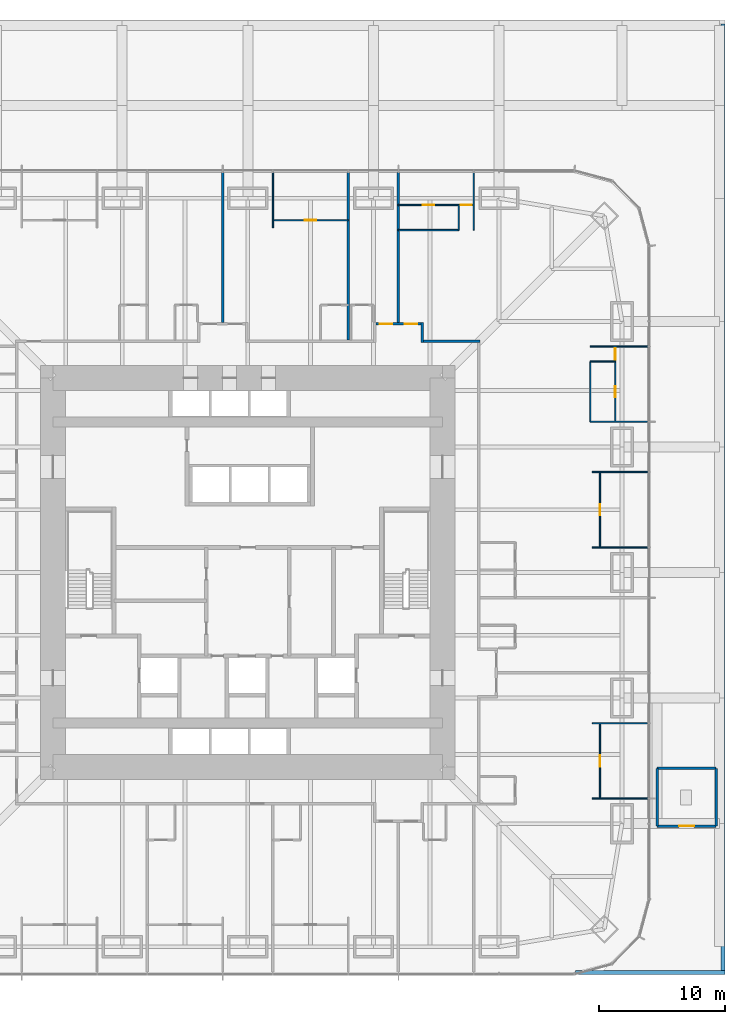
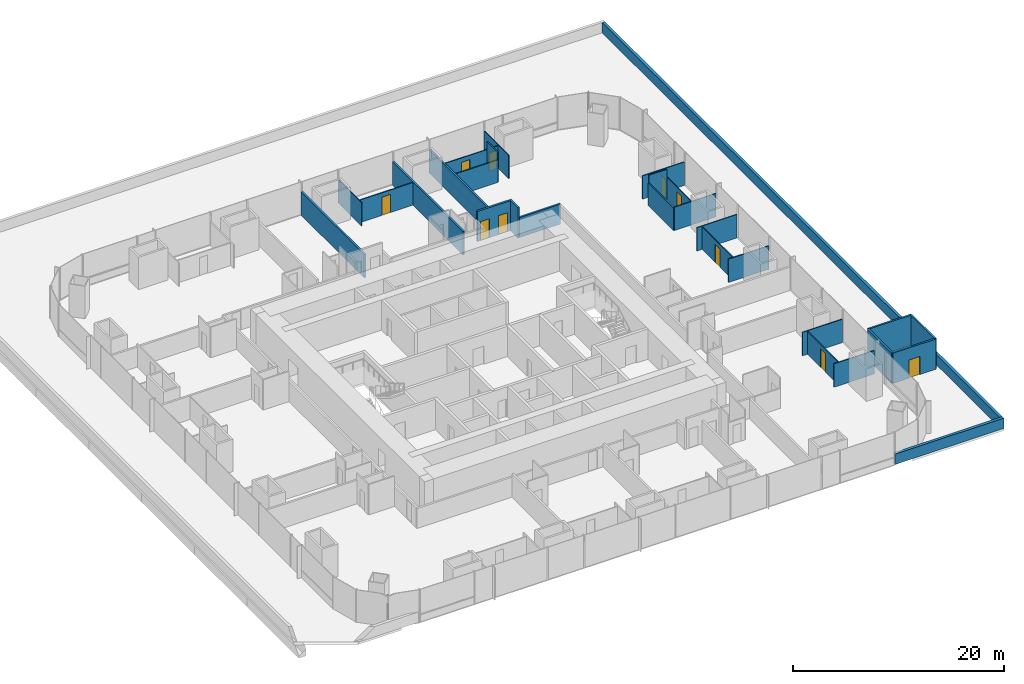
# One storey, part 18 of 20: 29 walls, 10 doors, 10 openings.
"""IFC4 building model written with IfcOpenShell, lengths in metres."""

import ifcopenshell
import ifcopenshell.guid

model = None  # the IFC model being written
_history = None  # IfcOwnerHistory: only IFC2X3 demands one
_inside = {}  # id of a spatial element -> (the spatial element, [elements in it])
_under = {}  # id of a project, library or spatial element -> (it, [spatial elements below it])
_declared = {}  # id of a project -> (the project, [libraries it declares])
_typed = {}  # id of a type object -> (the type object, [elements of that type])
_made_of = {}  # id of a material, layer set ... -> (it, [elements and type objects made of it])


def new_model(schema):
    """Start an empty IFC model of exactly this schema.

    Asked for "IFC4X3", IfcOpenShell would pick the latest addendum, in which some entities
    have other attributes; the version numbers below select the first issue.
    IFC2X3 requires an IfcOwnerHistory on every rooted entity: one is made here for all.
    """
    global model, _history
    if schema == "IFC4X3":
        model = ifcopenshell.file(schema_version=(4, 3, 0, 0))
    else:
        model = ifcopenshell.file(schema=schema)
    _inside.clear()
    _under.clear()
    _declared.clear()
    _typed.clear()
    _made_of.clear()
    _history = None
    if model.schema == "IFC2X3":
        org = make("IfcOrganization", Name="unknown")
        user = make(
            "IfcPersonAndOrganization",
            ThePerson=make("IfcPerson", FamilyName="unknown"),
            TheOrganization=org,
        )
        app = make(
            "IfcApplication",
            ApplicationDeveloper=org,
            Version="unknown",
            ApplicationFullName="unknown",
            ApplicationIdentifier="unknown",
        )
        _history = make(
            "IfcOwnerHistory",
            OwningUser=user,
            OwningApplication=app,
            ChangeAction="ADDED",
            CreationDate=0,
        )
    return model


def make(cls, **values):
    """One entity of the class cls with the attributes given. An attribute that is None is left unset."""
    return model.create_entity(
        cls, **{name: value for name, value in values.items() if value is not None}
    )


def rooted(cls, **values):
    """An entity with a GlobalId (a new one), such as an element, a storey or a relation."""
    return make(cls, GlobalId=ifcopenshell.guid.new(), OwnerHistory=_history, **values)


def si_unit(unit_type, name, prefix=None):
    """IfcSIUnit, for example si_unit("LENGTHUNIT", "METRE", prefix="MILLI")."""
    return make("IfcSIUnit", UnitType=unit_type, Prefix=prefix, Name=name)


def assignment(units):
    """IfcUnitAssignment: the units of a project."""
    return None if units is None else make("IfcUnitAssignment", Units=units)


def point(xyz):
    """IfcCartesianPoint."""
    return None if xyz is None else make("IfcCartesianPoint", Coordinates=xyz)


def direction(xyz):
    """IfcDirection."""
    return None if xyz is None else make("IfcDirection", DirectionRatios=xyz)


def frame(location, z_axis=None, x_axis=None):
    """IfcAxis2Placement3D, a coordinate frame: its origin and axes. An axis left out is left unset."""
    return make(
        "IfcAxis2Placement3D",
        Location=point(location),
        Axis=direction(z_axis),
        RefDirection=direction(x_axis),
    )


def frame_2d(location, x_axis=None):
    """IfcAxis2Placement2D, a coordinate frame in the plane: its origin and x axis."""
    return make(
        "IfcAxis2Placement2D", Location=point(location), RefDirection=direction(x_axis)
    )


def origin():
    """The frame at (0, 0, 0) with its axes left unset."""
    return frame((0.0, 0.0, 0.0))


def place(relative_to, where):
    """IfcLocalPlacement: puts the frame where relative to a parent placement (None: the world)."""
    return make(
        "IfcLocalPlacement", PlacementRelTo=relative_to, RelativePlacement=where
    )


def context(
    kind, dimensions, precision=None, world=None, true_north=None, identifier=None
):
    """IfcGeometricRepresentationContext, for example the 3D "Model" context."""
    return make(
        "IfcGeometricRepresentationContext",
        ContextIdentifier=identifier,
        ContextType=kind,
        CoordinateSpaceDimension=dimensions,
        Precision=precision,
        WorldCoordinateSystem=world,
        TrueNorth=true_north,
    )


def subcontext(parent, identifier, kind, view, scale=None):
    """IfcGeometricRepresentationSubContext, for example "Body" below "Model"."""
    return make(
        "IfcGeometricRepresentationSubContext",
        ContextIdentifier=identifier,
        ContextType=kind,
        ParentContext=parent,
        TargetScale=scale,
        TargetView=view,
    )


def project(units=None, contexts=None):
    """IfcProject with its units and contexts."""
    return rooted(
        "IfcProject",
        Name="project",
        RepresentationContexts=contexts,
        UnitsInContext=assignment(units),
    )


def spatial(cls, under=None, at=None, **own):
    """A site, building, storey or space (cls), placed at a placement, below another one or the project."""
    s = rooted(cls, ObjectPlacement=at, **own)
    if under is not None:
        _under.setdefault(under.id(), (under, []))[1].append(s)
    return s


def profile(cls, at=None, kind="AREA", **sizes):
    """A parametric profile (cls). Its sizes go by their IFC names, for example OverallWidth=200.0."""
    return make(cls, ProfileType=kind, Position=at, **sizes)


def rectangle(**sizes):
    """IfcRectangleProfileDef."""
    return profile("IfcRectangleProfileDef", **sizes)


def extrude(swept, where, along, depth):
    """IfcExtrudedAreaSolid: the profile swept, set in the frame where, extruded along a direction by depth."""
    return make(
        "IfcExtrudedAreaSolid",
        SweptArea=swept,
        Position=where,
        ExtrudedDirection=direction(along),
        Depth=depth,
    )


def shape(context_of_items, identifier, shape_type, items):
    """IfcShapeRepresentation: the items that make up one representation, for example the "Body"."""
    return make(
        "IfcShapeRepresentation",
        ContextOfItems=context_of_items,
        RepresentationIdentifier=identifier,
        RepresentationType=shape_type,
        Items=items,
    )


def material(Name=None, Category=None):
    """IfcMaterial."""
    return make("IfcMaterial", Name=Name, Category=Category)


def layer(
    of_material, thickness, ventilated=None, Name=None, Category=None, Priority=None
):
    """IfcMaterialLayer: one layer of a wall or slab, of a material (None: an air gap)."""
    return make(
        "IfcMaterialLayer",
        Material=of_material,
        LayerThickness=thickness,
        IsVentilated=ventilated,
        Name=Name,
        Category=Category,
        Priority=Priority,
    )


def layer_set(layers, Name=None):
    """IfcMaterialLayerSet."""
    return make("IfcMaterialLayerSet", MaterialLayers=layers, LayerSetName=Name)


def made_of(thing, what):
    """Note that an element or type object is made of a material, layer set ...; save() writes the relation."""
    if what is not None:
        _made_of.setdefault(what.id(), (what, []))[1].append(thing)
    return thing


def type_object(cls, material=None, **own):
    """A type object (cls), such as IfcWallType, which elements share."""
    return made_of(rooted(cls, **own), material)


def element(
    cls,
    number,
    at=None,
    inside=None,
    cuts=None,
    type_object=None,
    material=None,
    context=None,
    identifier="Body",
    shape_type=None,
    held_by="IfcProductDefinitionShape",
    body=None,
    shapes=None,
    **own,
):
    """One element of the class cls, such as IfcWall. Its Tag is "e" and its number.

    at: its placement. inside: the storey or other place that contains it. cuts: it is an
    opening in that element (IfcRelVoidsElement). A single representation is given by context,
    identifier, shape_type and body (its items); several are given by shapes. held_by: the class
    of the entity that holds the representations. save() writes the other relations.
    """
    e = rooted(cls, Tag="e%d" % number, ObjectPlacement=at, **own)
    if body is not None:
        shapes = [shape(context, identifier, shape_type, body)]
    if shapes is not None:
        e.Representation = make(held_by, Representations=shapes)
    if inside is not None:
        _inside.setdefault(inside.id(), (inside, []))[1].append(e)
    if cuts is not None:
        rooted(
            "IfcRelVoidsElement", RelatingBuildingElement=cuts, RelatedOpeningElement=e
        )
    if type_object is not None:
        _typed.setdefault(type_object.id(), (type_object, []))[1].append(e)
    return made_of(e, material)


def fill(opening, filler):
    """IfcRelFillsElement: the door or window that sits in an opening."""
    return rooted(
        "IfcRelFillsElement",
        RelatingOpeningElement=opening,
        RelatedBuildingElement=filler,
    )


def aggregate(whole, parts):
    """IfcRelAggregates: a whole, such as a stair, and the parts it consists of."""
    return rooted("IfcRelAggregates", RelatingObject=whole, RelatedObjects=parts)


def save(model, path):
    """Write the relations noted so far, then the file.

    IfcRelAggregates (storeys below a building ...), IfcRelContainedInSpatialStructure (elements
    in a storey), IfcRelDefinesByType, IfcRelAssociatesMaterial and IfcRelDeclares: one each for
    every whole, place, type object, material and project.
    """
    for whole, parts in _under.values():
        aggregate(whole, parts)
    for where, things in _inside.values():
        rooted(
            "IfcRelContainedInSpatialStructure",
            RelatedElements=things,
            RelatingStructure=where,
        )
    for kind, things in _typed.values():
        rooted("IfcRelDefinesByType", RelatedObjects=things, RelatingType=kind)
    for what, things in _made_of.values():
        rooted("IfcRelAssociatesMaterial", RelatedObjects=things, RelatingMaterial=what)
    for by, libraries in _declared.values():
        rooted("IfcRelDeclares", RelatingContext=by, RelatedDefinitions=libraries)
    model.write(path)


model = new_model("IFC4")

# Units and contexts
model_context = context("Model", 3, precision=1e-05, world=origin(), true_north=direction((0.0, 1.0)))
body_context = subcontext(model_context, "Body", "Model", "MODEL_VIEW")
ifc_project = project(units=[si_unit("LENGTHUNIT", "METRE"), si_unit("AREAUNIT", "SQUARE_METRE"), si_unit("VOLUMEUNIT", "CUBIC_METRE"), si_unit("PLANEANGLEUNIT", "RADIAN"), si_unit("MASSUNIT", "GRAM", prefix="KILO")], contexts=[model_context])

# Site, building, storey
site_placement = place(None, origin())
site = spatial("IfcSite", under=ifc_project, at=site_placement, CompositionType="ELEMENT")
building_placement = place(site_placement, origin())
building = spatial("IfcBuilding", under=site, at=building_placement, Name="Khuree Lantern Residences", CompositionType="ELEMENT")
storey_placement = place(building_placement, frame((0.0, 0.0, 21.0)))
storey = spatial("IfcBuildingStorey", under=building, at=storey_placement, Name="L04", CompositionType="ELEMENT", Elevation=21.0)

# Wall
ifc_material_1 = material(Name="Gypsum board on steel studs", Category="steel")
ifc_layer_1 = layer(ifc_material_1, 0.199951171875)
ifc_layer_set_1 = layer_set([ifc_layer_1], Name="CORRIDOR WALL CRW200 EI 60")
wall_type_1 = type_object("IfcWallType", Name="CORRIDOR WALL CRW200 EI 60", PredefinedType="PARTITIONING", material=ifc_layer_set_1)
wall_1_placement = place(storey_placement, frame((13.89990234375, 18.300048828125, 0.0), z_axis=(0.0, 0.0, 1.0), x_axis=(0.0, 1.0, 0.0)))
element("IfcWall", 1, at=wall_1_placement, inside=storey, type_object=wall_type_1, Name="L04 CORRIDOR ALCOVE WALL NORTH", PredefinedType="PARTITIONING", context=body_context, shape_type="SweptSolid", body=[
    extrude(rectangle(XDim=1.599853515625, YDim=0.199951171875, at=frame_2d((0.7998046875, 0.0))), origin(), (0.0, 0.0, 1.0), 3.5),
])

# Wall, openings, doors
wall_2_placement = place(storey_placement, frame((10.199951171875, 19.800048828125, 0.0), z_axis=(0.0, 0.0, 1.0), x_axis=(1.0, 0.0, 0.0)))
wall_2 = element("IfcWall", 2, at=wall_2_placement, inside=storey, type_object=wall_type_1, Name="L04 CORRIDOR ALCOVE WALL NORTH", PredefinedType="PARTITIONING", context=body_context, shape_type="SweptSolid", body=[
    extrude(rectangle(XDim=3.60009765625, YDim=0.199951171875, at=frame_2d((1.800048828125, 0.0))), origin(), (0.0, 0.0, 1.0), 3.5),
])
opening_1_placement = place(wall_2_placement, frame((2.300048828125, 0.0, 0.0)))
opening_1 = element("IfcOpeningElement", 3, at=opening_1_placement, cuts=wall_2, Name="Opening 04-030", PredefinedType="OPENING", context=body_context, shape_type="SweptSolid", body=[
    extrude(rectangle(XDim=1.0, YDim=2.199951171875, at=frame_2d((0.5, 1.10009765625))), frame((0.0, 0.10986328125, 0.0), z_axis=(0.0, -1.0, 0.0), x_axis=(1.0, 0.0, 0.0)), (0.0, 0.0, 1.0), 0.219970703125),
])
opening_2_placement = place(wall_2_placement, frame((0.300048828125, 0.0, 0.0)))
opening_2 = element("IfcOpeningElement", 4, at=opening_2_placement, cuts=wall_2, Name="Opening 04-032", PredefinedType="OPENING", context=body_context, shape_type="SweptSolid", body=[
    extrude(rectangle(XDim=1.0, YDim=2.199951171875, at=frame_2d((0.5, 1.10009765625))), frame((0.0, 0.10986328125, 0.0), z_axis=(0.0, -1.0, 0.0), x_axis=(1.0, 0.0, 0.0)), (0.0, 0.0, 1.0), 0.219970703125),
])
ifc_material_2 = material(Name="Timber door leaf in hardwood frame", Category="wood")
door_type_1 = type_object("IfcDoorType", Name="APARTMENT ENTRANCE DOOR 1000X2200 EI 30S", OperationType="SINGLE_SWING_LEFT", PredefinedType="DOOR", material=ifc_material_2)
door_1_placement = place(opening_1_placement, origin())
door_1 = element("IfcDoor", 5, at=door_1_placement, inside=storey, type_object=door_type_1, Name="Apartment 02 entrance door 04-030", OperationType="SINGLE_SWING_LEFT", OverallHeight=2.199951171875, OverallWidth=1.0, PredefinedType="DOOR", context=body_context, shape_type="SweptSolid", body=[
    extrude(rectangle(XDim=1.0, YDim=2.199951171875, at=frame_2d((0.5, 1.10009765625))), frame((0.0, 0.02490234375, 0.0), z_axis=(0.0, -1.0, 0.0), x_axis=(1.0, 0.0, 0.0)), (0.0, 0.0, 1.0), 0.050048828125),
])
fill(opening_1, door_1)
door_2_placement = place(opening_2_placement, origin())
door_2 = element("IfcDoor", 6, at=door_2_placement, inside=storey, type_object=door_type_1, Name="Apartment 03 entrance door 04-032", OperationType="SINGLE_SWING_LEFT", OverallHeight=2.199951171875, OverallWidth=1.0, PredefinedType="DOOR", context=body_context, shape_type="SweptSolid", body=[
    extrude(rectangle(XDim=1.0, YDim=2.199951171875, at=frame_2d((0.5, 1.10009765625))), frame((0.0, 0.02490234375, 0.0), z_axis=(0.0, -1.0, 0.0), x_axis=(1.0, 0.0, 0.0)), (0.0, 0.0, 1.0), 0.050048828125),
])
fill(opening_2, door_2)

# Walls
wall_3_placement = place(storey_placement, frame((14.0, 18.39990234375, 0.0), z_axis=(0.0, 0.0, 1.0), x_axis=(1.0, 0.0, 0.0)))
element("IfcWall", 7, at=wall_3_placement, inside=storey, type_object=wall_type_1, Name="L04 CORRIDOR WALL NORTH 3", PredefinedType="PARTITIONING", context=body_context, shape_type="SweptSolid", body=[
    extrude(rectangle(XDim=4.5, YDim=0.199951171875, at=frame_2d((2.25, 0.0))), origin(), (0.0, 0.0, 1.0), 2.300048828125),
])
ifc_layer_2 = layer(ifc_material_1, 0.199951171875)
ifc_layer_set_2 = layer_set([ifc_layer_2], Name="DEMISING WALL DMW200 EI 90")
wall_type_2 = type_object("IfcWallType", Name="DEMISING WALL DMW200 EI 90", PredefinedType="PARTITIONING", material=ifc_layer_set_2)
wall_4_placement = place(storey_placement, frame((12.0, 19.89990234375, 0.0), z_axis=(0.0, 0.0, 1.0), x_axis=(0.0, 1.0, 0.0)))
element("IfcWall", 8, at=wall_4_placement, inside=storey, type_object=wall_type_2, Name="L04 DEMISING WALL 03", PredefinedType="PARTITIONING", context=body_context, shape_type="SweptSolid", body=[
    extrude(rectangle(XDim=11.9501953125, YDim=0.199951171875, at=frame_2d((5.97509765625, 0.0))), origin(), (0.0, 0.0, 1.0), 2.7099609375),
])
wall_5_placement = place(storey_placement, frame((8.0, 18.5, 0.0), z_axis=(0.0, 0.0, 1.0), x_axis=(0.0, 1.0, 0.0)))
element("IfcWall", 9, at=wall_5_placement, inside=storey, type_object=wall_type_2, Name="L04 DEMISING WALL 04", PredefinedType="PARTITIONING", context=body_context, shape_type="SweptSolid", body=[
    extrude(rectangle(XDim=13.35009765625, YDim=0.199951171875, at=frame_2d((6.675048828125, 0.0))), origin(), (0.0, 0.0, 1.0), 2.7099609375),
])
wall_6_placement = place(storey_placement, frame((-2.0, 19.89990234375, 0.0), z_axis=(0.0, 0.0, 1.0), x_axis=(0.0, 1.0, 0.0)))
element("IfcWall", 10, at=wall_6_placement, inside=storey, type_object=wall_type_2, Name="L04 DEMISING WALL 05", PredefinedType="PARTITIONING", context=body_context, shape_type="SweptSolid", body=[
    extrude(rectangle(XDim=11.9501953125, YDim=0.199951171875, at=frame_2d((5.97509765625, 0.0))), origin(), (0.0, 0.0, 1.0), 2.7099609375),
])
ifc_material_3 = material(Name="Dense concrete blockwork", Category="masonry")
ifc_layer_3 = layer(ifc_material_3, 0.199951171875)
ifc_layer_set_3 = layer_set([ifc_layer_3], Name="FIRE-RATED ROOM WALL FRW200 EI 120")
wall_type_3 = type_object("IfcWallType", Name="FIRE-RATED ROOM WALL FRW200 EI 120", PredefinedType="SOLIDWALL", material=ifc_layer_set_3)
wall_7_placement = place(storey_placement, frame((37.300048828125, -15.60009765625, 0.0), z_axis=(0.0, 0.0, 1.0), x_axis=(-1.0, 0.0, 0.0)))
element("IfcWall", 11, at=wall_7_placement, inside=storey, type_object=wall_type_3, Name="L04 ROOF PLANT ROOM WALL N", PredefinedType="SOLIDWALL", context=body_context, shape_type="SweptSolid", body=[
    extrude(rectangle(XDim=4.699951171875, YDim=0.199951171875, at=frame_2d((2.35009765625, 0.0))), origin(), (0.0, 0.0, 1.0), 3.5),
])
ifc_material_4 = material(Name="Concrete C40/50", Category="concrete")
ifc_layer_4 = layer(ifc_material_4, 0.199951171875)
ifc_layer_set_4 = layer_set([ifc_layer_4], Name="LBW200 PLANT ROOM LOAD-BEARING WALL")
wall_type_4 = type_object("IfcWallType", Name="LBW200 PLANT ROOM LOAD-BEARING WALL", PredefinedType="SOLIDWALL", material=ifc_layer_set_4)
for number, where, z_axis, x_axis, name in (
    (12, (37.300048828125, -20.199951171875, 0.0), (0.0, 0.0, 1.0), (0.0, 1.0, 0.0), "L04 ROOF PLANT ROOM WALL E"),
    (13, (32.60009765625, -15.60009765625, 0.0), (0.0, 0.0, 1.0), (0.0, -1.0, 0.0), "L04 ROOF PLANT ROOM WALL W"),
):
    element("IfcWall", number, at=place(storey_placement, frame(where, z_axis=z_axis, x_axis=x_axis)), inside=storey, type_object=wall_type_4, Name=name, PredefinedType="SOLIDWALL", context=body_context, shape_type="SweptSolid", body=[
        extrude(rectangle(XDim=4.599853515625, YDim=0.199951171875, at=frame_2d((2.2998046875, 0.0))), origin(), (0.0, 0.0, 1.0), 3.5),
    ])

# Wall, opening, door
wall_8_placement = place(storey_placement, frame((32.60009765625, -20.199951171875, 0.0), z_axis=(0.0, 0.0, 1.0), x_axis=(1.0, 0.0, 0.0)))
wall_8 = element("IfcWall", 14, at=wall_8_placement, inside=storey, type_object=wall_type_4, Name="L04 ROOF PLANT ROOM WALL S", PredefinedType="SOLIDWALL", context=body_context, shape_type="SweptSolid", body=[
    extrude(rectangle(XDim=4.699951171875, YDim=0.199951171875, at=frame_2d((2.35009765625, 0.0))), origin(), (0.0, 0.0, 1.0), 3.5),
])
opening_3_placement = place(wall_8_placement, frame((1.75, 0.0, 0.0)))
opening_3 = element("IfcOpeningElement", 15, at=opening_3_placement, cuts=wall_8, Name="Opening 04-R01", PredefinedType="OPENING", context=body_context, shape_type="SweptSolid", body=[
    extrude(rectangle(XDim=1.199951171875, YDim=2.10009765625, at=frame_2d((0.60009765625, 1.050048828125))), frame((0.0, 0.10986328125, 0.0), z_axis=(0.0, -1.0, 0.0), x_axis=(1.0, 0.0, 0.0)), (0.0, 0.0, 1.0), 0.219970703125),
])
ifc_material_5 = material(Name="Steel door leaf in steel frame", Category="steel")
door_type_2 = type_object("IfcDoorType", Name="PLANT ROOM ROOF DOOR 1200X2100 EI 120", OperationType="SINGLE_SWING_LEFT", PredefinedType="DOOR", material=ifc_material_5)
door_3_placement = place(opening_3_placement, origin())
door_3 = element("IfcDoor", 16, at=door_3_placement, inside=storey, type_object=door_type_2, Name="Roof access door 04-R01", OperationType="SINGLE_SWING_LEFT", OverallHeight=2.10009765625, OverallWidth=1.199951171875, PredefinedType="DOOR", context=body_context, shape_type="SweptSolid", body=[
    extrude(rectangle(XDim=1.199951171875, YDim=2.10009765625, at=frame_2d((0.60009765625, 1.050048828125))), frame((0.0, 0.02490234375, 0.0), z_axis=(0.0, -1.0, 0.0), x_axis=(1.0, 0.0, 0.0)), (0.0, 0.0, 1.0), 0.050048828125),
])
fill(opening_3, door_3)

# Walls
ifc_material_6 = material(Name="Precast concrete parapet with granite coping", Category="masonry")
ifc_layer_5 = layer(ifc_material_6, 0.300048828125)
ifc_layer_set_5 = layer_set([ifc_layer_5], Name="PARAPET PP1 300")
wall_type_5 = type_object("IfcWallType", Name="PARAPET PP1 300", PredefinedType="PARAPET", material=ifc_layer_set_5)
wall_9_placement = place(storey_placement, frame((26.115966796875, -31.85009765625, 0.0), z_axis=(0.0, 0.0, 1.0), x_axis=(1.0, 0.0, 0.0)))
element("IfcWall", 17, at=wall_9_placement, inside=storey, type_object=wall_type_5, Name="PODIUM ROOF PARAPET 1", PredefinedType="PARAPET", context=body_context, shape_type="SweptSolid", body=[
    extrude(rectangle(XDim=11.884033203125, YDim=0.300048828125, at=frame_2d((5.94189453125, 0.0))), origin(), (0.0, 0.0, 1.0), 1.199951171875),
])
wall_10_placement = place(storey_placement, frame((37.85009765625, -31.699951171875, 0.0), z_axis=(0.0, 0.0, 1.0), x_axis=(0.0, 1.0, 0.0)))
element("IfcWall", 18, at=wall_10_placement, inside=storey, type_object=wall_type_5, Name="PODIUM ROOF PARAPET 4", PredefinedType="PARAPET", context=body_context, shape_type="SweptSolid", body=[
    extrude(rectangle(XDim=75.39990234375, YDim=0.300048828125, at=frame_2d((37.699951171875, 0.0))), origin(), (0.0, 0.0, 1.0), 1.199951171875),
])
ifc_layer_6 = layer(ifc_material_1, 0.10009765625)
ifc_layer_set_6 = layer_set([ifc_layer_6], Name="PARTITION PT100")
wall_type_6 = type_object("IfcWallType", Name="PARTITION PT100", PredefinedType="PARTITIONING", material=ifc_layer_set_6)
for number, where, z_axis, x_axis, name in (
    (19, (27.449951171875, 2.0, 0.0), (0.0, 0.0, 1.0), (1.0, 0.0, 0.0), "L04 PARTITION 02"),
    (20, (27.449951171875, 8.0, 0.0), (0.0, 0.0, 1.0), (1.0, 0.0, 0.0), "L04 PARTITION 02"),
):
    element("IfcWall", number, at=place(storey_placement, frame(where, z_axis=z_axis, x_axis=x_axis)), inside=storey, type_object=wall_type_6, Name=name, PredefinedType="PARTITIONING", context=body_context, shape_type="SweptSolid", body=[
        extrude(rectangle(XDim=4.400146484375, YDim=0.10009765625, at=frame_2d((2.2001953125, 0.0))), origin(), (0.0, 0.0, 1.0), 2.7099609375),
    ])
for number, where, z_axis, x_axis, name in (
    (21, (27.2666015625, 12.0, 0.0), (0.0, 0.0, 1.0), (1.0, 0.0, 0.0), "L04 PARTITION 02"),
    (22, (27.2666015625, 18.0, 0.0), (0.0, 0.0, 1.0), (1.0, 0.0, 0.0), "L04 PARTITION 02"),
    (23, (18.0, 27.2666015625, 0.0), (0.0, 0.0, 1.0), (0.0, 1.0, 0.0), "L04 PARTITION 02"),
):
    element("IfcWall", number, at=place(storey_placement, frame(where, z_axis=z_axis, x_axis=x_axis)), inside=storey, type_object=wall_type_6, Name=name, PredefinedType="PARTITIONING", context=body_context, shape_type="SweptSolid", body=[
        extrude(rectangle(XDim=4.58349609375, YDim=0.10009765625, at=frame_2d((2.291748046875, 0.0))), origin(), (0.0, 0.0, 1.0), 2.7099609375),
    ])
for number, where, z_axis, x_axis, name in (
    (24, (2.0, 27.449951171875, 0.0), (0.0, 0.0, 1.0), (0.0, 1.0, 0.0), "L04 PARTITION 04"),
    (25, (27.449951171875, -18.0, 0.0), (0.0, 0.0, 1.0), (1.0, 0.0, 0.0), "L04 PARTITION 14"),
    (26, (27.449951171875, -12.0, 0.0), (0.0, 0.0, 1.0), (1.0, 0.0, 0.0), "L04 PARTITION 14"),
):
    element("IfcWall", number, at=place(storey_placement, frame(where, z_axis=z_axis, x_axis=x_axis)), inside=storey, type_object=wall_type_6, Name=name, PredefinedType="PARTITIONING", context=body_context, shape_type="SweptSolid", body=[
        extrude(rectangle(XDim=4.400146484375, YDim=0.10009765625, at=frame_2d((2.2001953125, 0.0))), origin(), (0.0, 0.0, 1.0), 2.7099609375),
    ])

# Wall, opening, door
wall_11_placement = place(storey_placement, frame((28.050048828125, 2.0, 0.0), z_axis=(0.0, 0.0, 1.0), x_axis=(0.0, 1.0, 0.0)))
wall_11 = element("IfcWall", 27, at=wall_11_placement, inside=storey, type_object=wall_type_6, Name="L04 PARTITION 02", PredefinedType="PARTITIONING", context=body_context, shape_type="SweptSolid", body=[
    extrude(rectangle(XDim=6.0, YDim=0.10009765625, at=frame_2d((3.0, 0.0))), origin(), (0.0, 0.0, 1.0), 2.610107421875),
])
opening_4_placement = place(wall_11_placement, frame((2.550048828125, 0.0, 0.0)))
opening_4 = element("IfcOpeningElement", 28, at=opening_4_placement, cuts=wall_11, Name="Opening 04-023", PredefinedType="OPENING", context=body_context, shape_type="SweptSolid", body=[
    extrude(rectangle(XDim=0.89990234375, YDim=2.10009765625, at=frame_2d((0.449951171875, 1.050048828125))), frame((0.0, 0.06005859375, 0.0), z_axis=(0.0, -1.0, 0.0), x_axis=(1.0, 0.0, 0.0)), (0.0, 0.0, 1.0), 0.1201171875),
])
door_type_3 = type_object("IfcDoorType", Name="BEDROOM DOOR 900X2100", OperationType="SINGLE_SWING_LEFT", PredefinedType="DOOR", material=ifc_material_2)
door_4_placement = place(opening_4_placement, origin())
door_4 = element("IfcDoor", 29, at=door_4_placement, inside=storey, type_object=door_type_3, Name="Bedroom door 04-023", OperationType="SINGLE_SWING_LEFT", OverallHeight=2.10009765625, OverallWidth=0.89990234375, PredefinedType="DOOR", context=body_context, shape_type="SweptSolid", body=[
    extrude(rectangle(XDim=0.89990234375, YDim=2.10009765625, at=frame_2d((0.449951171875, 1.050048828125))), frame((0.0, 0.02490234375, 0.0), z_axis=(0.0, -1.0, 0.0), x_axis=(1.0, 0.0, 0.0)), (0.0, 0.0, 1.0), 0.050048828125),
])
fill(opening_4, door_4)

# Wall, openings, doors
wall_12_placement = place(storey_placement, frame((29.2666015625, 12.0, 0.0), z_axis=(0.0, 0.0, 1.0), x_axis=(0.0, 1.0, 0.0)))
wall_12 = element("IfcWall", 30, at=wall_12_placement, inside=storey, type_object=wall_type_6, Name="L04 PARTITION 02", PredefinedType="PARTITIONING", context=body_context, shape_type="SweptSolid", body=[
    extrude(rectangle(XDim=6.0, YDim=0.10009765625, at=frame_2d((3.0, 0.0))), origin(), (0.0, 0.0, 1.0), 2.610107421875),
])
opening_5_placement = place(wall_12_placement, frame((4.949951171875, 0.0, 0.0)))
opening_5 = element("IfcOpeningElement", 31, at=opening_5_placement, cuts=wall_12, Name="Opening 04-024", PredefinedType="OPENING", context=body_context, shape_type="SweptSolid", body=[
    extrude(rectangle(XDim=0.89990234375, YDim=2.10009765625, at=frame_2d((0.449951171875, 1.050048828125))), frame((0.0, 0.06005859375, 0.0), z_axis=(0.0, -1.0, 0.0), x_axis=(1.0, 0.0, 0.0)), (0.0, 0.0, 1.0), 0.1201171875),
])
opening_6_placement = place(wall_12_placement, frame((1.949951171875, 0.0, 0.0)))
opening_6 = element("IfcOpeningElement", 32, at=opening_6_placement, cuts=wall_12, Name="Opening 04-025", PredefinedType="OPENING", context=body_context, shape_type="SweptSolid", body=[
    extrude(rectangle(XDim=0.89990234375, YDim=2.10009765625, at=frame_2d((0.449951171875, 1.050048828125))), frame((0.0, 0.06005859375, 0.0), z_axis=(0.0, -1.0, 0.0), x_axis=(1.0, 0.0, 0.0)), (0.0, 0.0, 1.0), 0.1201171875),
])
door_5_placement = place(opening_5_placement, origin())
door_5 = element("IfcDoor", 33, at=door_5_placement, inside=storey, type_object=door_type_3, Name="Bedroom door 04-024", OperationType="SINGLE_SWING_LEFT", OverallHeight=2.10009765625, OverallWidth=0.89990234375, PredefinedType="DOOR", context=body_context, shape_type="SweptSolid", body=[
    extrude(rectangle(XDim=0.89990234375, YDim=2.10009765625, at=frame_2d((0.449951171875, 1.050048828125))), frame((0.0, 0.02490234375, 0.0), z_axis=(0.0, -1.0, 0.0), x_axis=(1.0, 0.0, 0.0)), (0.0, 0.0, 1.0), 0.050048828125),
])
fill(opening_5, door_5)
door_type_4 = type_object("IfcDoorType", Name="DOOR 900X2100", OperationType="SINGLE_SWING_LEFT", PredefinedType="DOOR", material=ifc_material_2)
door_6_placement = place(opening_6_placement, origin())
door_6 = element("IfcDoor", 34, at=door_6_placement, inside=storey, type_object=door_type_4, Name="Wardrobe door 04-025", OperationType="SINGLE_SWING_LEFT", OverallHeight=2.10009765625, OverallWidth=0.89990234375, PredefinedType="DOOR", context=body_context, shape_type="SweptSolid", body=[
    extrude(rectangle(XDim=0.89990234375, YDim=2.10009765625, at=frame_2d((0.449951171875, 1.050048828125))), frame((0.0, 0.02490234375, 0.0), z_axis=(0.0, -1.0, 0.0), x_axis=(1.0, 0.0, 0.0)), (0.0, 0.0, 1.0), 0.050048828125),
])
fill(opening_6, door_6)

# Walls
wall_13_placement = place(storey_placement, frame((27.2666015625, 16.800048828125, 0.0), z_axis=(0.0, 0.0, 1.0), x_axis=(1.0, 0.0, 0.0)))
element("IfcWall", 35, at=wall_13_placement, inside=storey, type_object=wall_type_6, Name="L04 PARTITION 02", PredefinedType="PARTITIONING", context=body_context, shape_type="SweptSolid", body=[
    extrude(rectangle(XDim=2.0, YDim=0.10009765625, at=frame_2d((1.0, 0.0))), origin(), (0.0, 0.0, 1.0), 3.5),
])
wall_14_placement = place(storey_placement, frame((27.2666015625, 12.0, 0.0), z_axis=(0.0, 0.0, 1.0), x_axis=(0.0, 1.0, 0.0)))
element("IfcWall", 36, at=wall_14_placement, inside=storey, type_object=wall_type_6, Name="L04 PARTITION 02", PredefinedType="PARTITIONING", context=body_context, shape_type="SweptSolid", body=[
    extrude(rectangle(XDim=4.800048828125, YDim=0.10009765625, at=frame_2d((2.39990234375, 0.0))), origin(), (0.0, 0.0, 1.0), 2.610107421875),
])

# Wall, openings, doors
wall_15_placement = place(storey_placement, frame((18.0, 29.2666015625, 0.0), z_axis=(0.0, 0.0, 1.0), x_axis=(-1.0, 0.0, 0.0)))
wall_15 = element("IfcWall", 37, at=wall_15_placement, inside=storey, type_object=wall_type_6, Name="L04 PARTITION 02", PredefinedType="PARTITIONING", context=body_context, shape_type="SweptSolid", body=[
    extrude(rectangle(XDim=6.0, YDim=0.10009765625, at=frame_2d((3.0, 0.0))), origin(), (0.0, 0.0, 1.0), 2.610107421875),
])
opening_7_placement = place(wall_15_placement, frame((0.14990234375, 0.0, 0.0)))
opening_7 = element("IfcOpeningElement", 38, at=opening_7_placement, cuts=wall_15, Name="Opening 04-026", PredefinedType="OPENING", context=body_context, shape_type="SweptSolid", body=[
    extrude(rectangle(XDim=0.89990234375, YDim=2.10009765625, at=frame_2d((0.449951171875, 1.050048828125))), frame((0.0, 0.06005859375, 0.0), z_axis=(0.0, -1.0, 0.0), x_axis=(1.0, 0.0, 0.0)), (0.0, 0.0, 1.0), 0.1201171875),
])
opening_8_placement = place(wall_15_placement, frame((3.14990234375, 0.0, 0.0)))
opening_8 = element("IfcOpeningElement", 39, at=opening_8_placement, cuts=wall_15, Name="Opening 04-027", PredefinedType="OPENING", context=body_context, shape_type="SweptSolid", body=[
    extrude(rectangle(XDim=0.89990234375, YDim=2.10009765625, at=frame_2d((0.449951171875, 1.050048828125))), frame((0.0, 0.06005859375, 0.0), z_axis=(0.0, -1.0, 0.0), x_axis=(1.0, 0.0, 0.0)), (0.0, 0.0, 1.0), 0.1201171875),
])
door_7_placement = place(opening_7_placement, origin())
door_7 = element("IfcDoor", 40, at=door_7_placement, inside=storey, type_object=door_type_3, Name="Bedroom door 04-026", OperationType="SINGLE_SWING_LEFT", OverallHeight=2.10009765625, OverallWidth=0.89990234375, PredefinedType="DOOR", context=body_context, shape_type="SweptSolid", body=[
    extrude(rectangle(XDim=0.89990234375, YDim=2.10009765625, at=frame_2d((0.449951171875, 1.050048828125))), frame((0.0, 0.02490234375, 0.0), z_axis=(0.0, -1.0, 0.0), x_axis=(1.0, 0.0, 0.0)), (0.0, 0.0, 1.0), 0.050048828125),
])
fill(opening_7, door_7)
door_8_placement = place(opening_8_placement, origin())
door_8 = element("IfcDoor", 41, at=door_8_placement, inside=storey, type_object=door_type_4, Name="Wardrobe door 04-027", OperationType="SINGLE_SWING_LEFT", OverallHeight=2.10009765625, OverallWidth=0.89990234375, PredefinedType="DOOR", context=body_context, shape_type="SweptSolid", body=[
    extrude(rectangle(XDim=0.89990234375, YDim=2.10009765625, at=frame_2d((0.449951171875, 1.050048828125))), frame((0.0, 0.02490234375, 0.0), z_axis=(0.0, -1.0, 0.0), x_axis=(1.0, 0.0, 0.0)), (0.0, 0.0, 1.0), 0.050048828125),
])
fill(opening_8, door_8)

# Walls
wall_16_placement = place(storey_placement, frame((16.800048828125, 27.2666015625, 0.0), z_axis=(0.0, 0.0, 1.0), x_axis=(0.0, 1.0, 0.0)))
element("IfcWall", 42, at=wall_16_placement, inside=storey, type_object=wall_type_6, Name="L04 PARTITION 02", PredefinedType="PARTITIONING", context=body_context, shape_type="SweptSolid", body=[
    extrude(rectangle(XDim=2.0, YDim=0.10009765625, at=frame_2d((1.0, 0.0))), origin(), (0.0, 0.0, 1.0), 3.5),
])
wall_17_placement = place(storey_placement, frame((16.800048828125, 27.2666015625, 0.0), z_axis=(0.0, 0.0, 1.0), x_axis=(-1.0, 0.0, 0.0)))
element("IfcWall", 43, at=wall_17_placement, inside=storey, type_object=wall_type_6, Name="L04 PARTITION 02", PredefinedType="PARTITIONING", context=body_context, shape_type="SweptSolid", body=[
    extrude(rectangle(XDim=4.800048828125, YDim=0.10009765625, at=frame_2d((2.39990234375, 0.0))), origin(), (0.0, 0.0, 1.0), 2.610107421875),
])

# Wall, opening, door
wall_18_placement = place(storey_placement, frame((8.0, 28.050048828125, 0.0), z_axis=(0.0, 0.0, 1.0), x_axis=(-1.0, 0.0, 0.0)))
wall_18 = element("IfcWall", 44, at=wall_18_placement, inside=storey, type_object=wall_type_6, Name="L04 PARTITION 04", PredefinedType="PARTITIONING", context=body_context, shape_type="SweptSolid", body=[
    extrude(rectangle(XDim=6.0, YDim=0.10009765625, at=frame_2d((3.0, 0.0))), origin(), (0.0, 0.0, 1.0), 2.610107421875),
])
opening_9_placement = place(wall_18_placement, frame((2.550048828125, 0.0, 0.0)))
opening_9 = element("IfcOpeningElement", 45, at=opening_9_placement, cuts=wall_18, Name="Opening 04-033", PredefinedType="OPENING", context=body_context, shape_type="SweptSolid", body=[
    extrude(rectangle(XDim=0.89990234375, YDim=2.10009765625, at=frame_2d((0.449951171875, 1.050048828125))), frame((0.0, 0.06005859375, 0.0), z_axis=(0.0, -1.0, 0.0), x_axis=(1.0, 0.0, 0.0)), (0.0, 0.0, 1.0), 0.1201171875),
])
door_9_placement = place(opening_9_placement, origin())
door_9 = element("IfcDoor", 46, at=door_9_placement, inside=storey, type_object=door_type_3, Name="Bedroom door 04-033", OperationType="SINGLE_SWING_LEFT", OverallHeight=2.10009765625, OverallWidth=0.89990234375, PredefinedType="DOOR", context=body_context, shape_type="SweptSolid", body=[
    extrude(rectangle(XDim=0.89990234375, YDim=2.10009765625, at=frame_2d((0.449951171875, 1.050048828125))), frame((0.0, 0.02490234375, 0.0), z_axis=(0.0, -1.0, 0.0), x_axis=(1.0, 0.0, 0.0)), (0.0, 0.0, 1.0), 0.050048828125),
])
fill(opening_9, door_9)

wall_19_placement = place(storey_placement, frame((28.050048828125, -18.0, 0.0), z_axis=(0.0, 0.0, 1.0), x_axis=(0.0, 1.0, 0.0)))
wall_19 = element("IfcWall", 47, at=wall_19_placement, inside=storey, type_object=wall_type_6, Name="L04 PARTITION 14", PredefinedType="PARTITIONING", context=body_context, shape_type="SweptSolid", body=[
    extrude(rectangle(XDim=6.0, YDim=0.10009765625, at=frame_2d((3.0, 0.0))), origin(), (0.0, 0.0, 1.0), 2.610107421875),
])
opening_10_placement = place(wall_19_placement, frame((2.550048828125, 0.0, 0.0)))
opening_10 = element("IfcOpeningElement", 48, at=opening_10_placement, cuts=wall_19, Name="Opening 04-060", PredefinedType="OPENING", context=body_context, shape_type="SweptSolid", body=[
    extrude(rectangle(XDim=0.89990234375, YDim=2.10009765625, at=frame_2d((0.449951171875, 1.050048828125))), frame((0.0, 0.06005859375, 0.0), z_axis=(0.0, -1.0, 0.0), x_axis=(1.0, 0.0, 0.0)), (0.0, 0.0, 1.0), 0.1201171875),
])
door_10_placement = place(opening_10_placement, origin())
door_10 = element("IfcDoor", 49, at=door_10_placement, inside=storey, type_object=door_type_3, Name="Bedroom door 04-060", OperationType="SINGLE_SWING_LEFT", OverallHeight=2.10009765625, OverallWidth=0.89990234375, PredefinedType="DOOR", context=body_context, shape_type="SweptSolid", body=[
    extrude(rectangle(XDim=0.89990234375, YDim=2.10009765625, at=frame_2d((0.449951171875, 1.050048828125))), frame((0.0, 0.02490234375, 0.0), z_axis=(0.0, -1.0, 0.0), x_axis=(1.0, 0.0, 0.0)), (0.0, 0.0, 1.0), 0.050048828125),
])
fill(opening_10, door_10)

save(model, "model.ifc")
